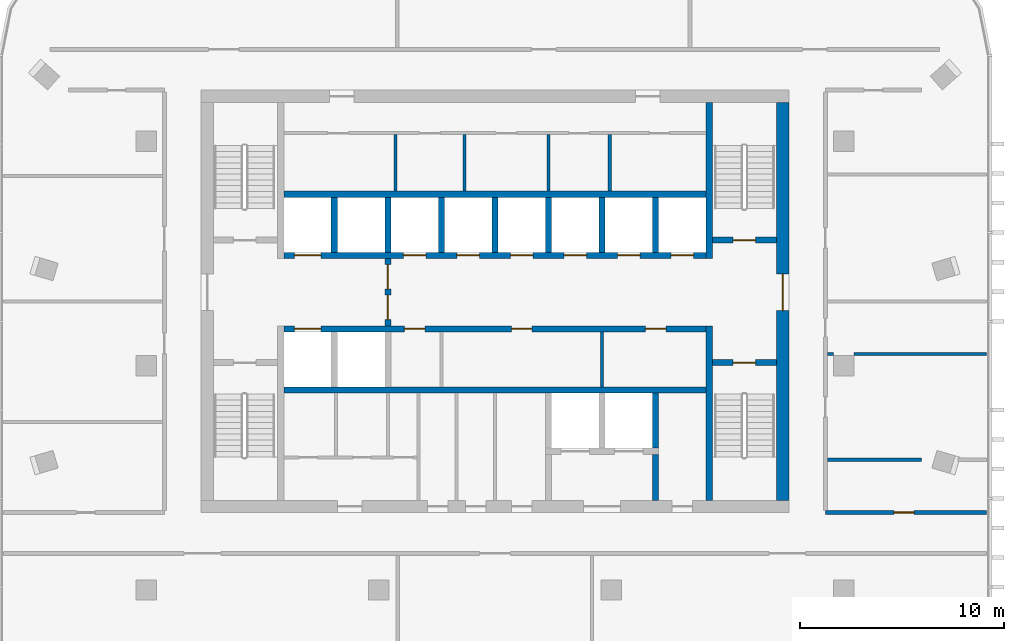
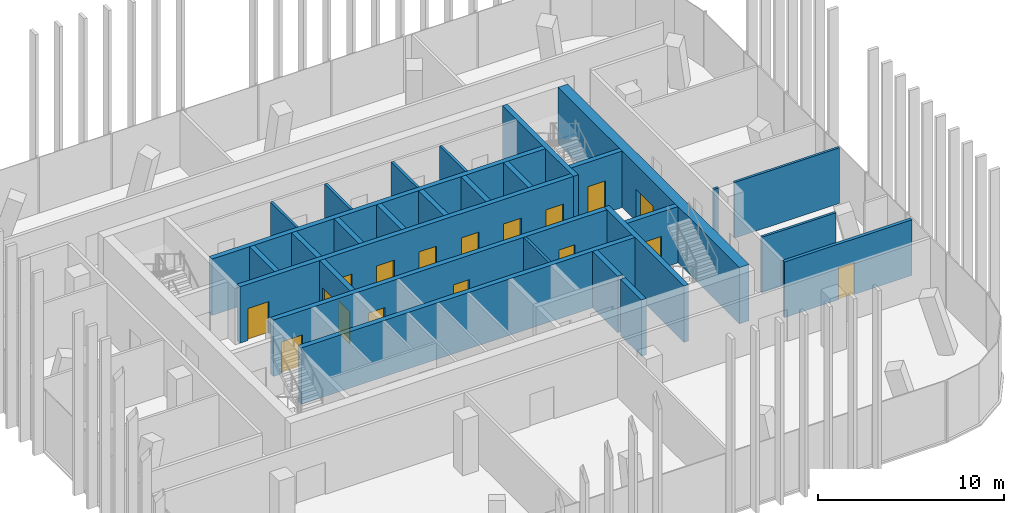
# One storey, part 7 of 13: 28 walls, 17 doors, 17 openings.
"""IFC4 building model written with IfcOpenShell, lengths in metres."""

from ifc_helpers import new_model, si_unit, direction, frame, frame_2d, origin, place, context, subcontext, project, spatial, rectangle, extrude, material, layer, layer_set, type_object, element, fill, save


model = new_model("IFC4")

# Units and contexts
model_context = context("Model", 3, precision=1e-05, world=origin(), true_north=direction((0.0, 1.0)))
body_context = subcontext(model_context, "Body", "Model", "MODEL_VIEW")
ifc_project = project(units=[si_unit("LENGTHUNIT", "METRE"), si_unit("AREAUNIT", "SQUARE_METRE"), si_unit("VOLUMEUNIT", "CUBIC_METRE"), si_unit("PLANEANGLEUNIT", "RADIAN"), si_unit("MASSUNIT", "GRAM", prefix="KILO")], contexts=[model_context])

# Site, building, storey
site_placement = place(None, origin())
site = spatial("IfcSite", under=ifc_project, at=site_placement, CompositionType="ELEMENT")
building_placement = place(site_placement, origin())
building = spatial("IfcBuilding", under=site, at=building_placement, Name="Mopane Tessera Tower", CompositionType="ELEMENT")
storey_placement = place(building_placement, frame((0.0, 0.0, 345.39990234375)))
storey = spatial("IfcBuildingStorey", under=building, at=storey_placement, Name="L75", CompositionType="ELEMENT", Elevation=345.39990234375)

# Walls
ifc_material_1 = material(Name="Fire-rated gypsum board partition")
ifc_layer_1 = layer(ifc_material_1, 0.14990234375)
ifc_layer_set_1 = layer_set([ifc_layer_1], Name="Fire-rated gypsum board partition")
wall_type_1 = type_object("IfcWallType", Name="Core room partition 150 mm", PredefinedType="PARTITIONING", material=ifc_layer_set_1)
for number, where, z_axis, x_axis, name in (
    (1, (-4.875, 8.550048828125, 0.0), (0.0, 0.0, 1.0), (0.0, 1.0, 0.0), "L75 Room partition"),
    (2, (-1.5, 8.550048828125, 0.0), (0.0, 0.0, 1.0), (0.0, 1.0, 0.0), "L75 Room partition"),
    (3, (2.625, 8.550048828125, 0.0), (0.0, 0.0, 1.0), (0.0, 1.0, 0.0), "L75 Room partition"),
    (4, (5.625, 8.550048828125, 0.0), (0.0, 0.0, 1.0), (0.0, 1.0, 0.0), "L75 Room partition"),
):
    element("IfcWall", number, at=place(storey_placement, frame(where, z_axis=z_axis, x_axis=x_axis)), inside=storey, type_object=wall_type_1, Name=name, PredefinedType="PARTITIONING", context=body_context, shape_type="SweptSolid", body=[
        extrude(rectangle(XDim=2.77490234375, YDim=0.14990234375, at=frame_2d((1.387451171875, 0.0))), origin(), (0.0, 0.0, 1.0), 3.7001953125),
    ])
wall_1_placement = place(storey_placement, frame((5.25, -1.050048828125, 0.0), z_axis=(0.0, 0.0, 1.0), x_axis=(0.0, 1.0, 0.0)))
element("IfcWall", 5, at=wall_1_placement, inside=storey, type_object=wall_type_1, Name="L75 Room partition", PredefinedType="PARTITIONING", context=body_context, shape_type="SweptSolid", body=[
    extrude(rectangle(XDim=2.699951171875, YDim=0.14990234375, at=frame_2d((1.35009765625, 0.0))), origin(), (0.0, 0.0, 1.0), 3.7001953125),
])

# Wall, opening, door
ifc_material_2 = material(Name="Concrete C70/85", Category="concrete")
ifc_layer_2 = layer(ifc_material_2, 0.60009765625)
ifc_layer_set_2 = layer_set([ifc_layer_2], Name="Concrete C70/85")
wall_type_2 = type_object("IfcWallType", Name="Core shear wall 600 mm", PredefinedType="SHEAR", material=ifc_layer_set_2)
wall_2_placement = place(storey_placement, frame((14.10009765625, -6.60009765625, 0.0), z_axis=(0.0, 0.0, 1.0), x_axis=(0.0, 1.0, 0.0)))
wall_2 = element("IfcWall", 6, at=wall_2_placement, inside=storey, type_object=wall_type_2, Name="L75 Core wall east", PredefinedType="SHEAR", context=body_context, shape_type="SweptSolid", body=[
    extrude(rectangle(XDim=19.5, YDim=0.60009765625, at=frame_2d((9.75, 0.0))), origin(), (0.0, 0.0, 1.0), 3.7001953125),
])
opening_1_placement = place(wall_2_placement, frame((9.300048828125, 0.0, 0.0)))
opening_1 = element("IfcOpeningElement", 7, at=opening_1_placement, cuts=wall_2, Name="Opening SD2", PredefinedType="OPENING", context=body_context, shape_type="SweptSolid", body=[
    extrude(rectangle(XDim=1.800048828125, YDim=2.10009765625, at=frame_2d((0.89990234375, 1.050048828125))), frame((0.0, 0.31201171875, 0.0), z_axis=(0.0, -1.0, 0.0), x_axis=(1.0, 0.0, 0.0)), (0.0, 0.0, 1.0), 0.6240234375),
])
ifc_material_3 = material(Name="Steel fire door", Category="steel")
door_type_1 = type_object("IfcDoorType", Name="Core entrance double door 1800 x 2100", OperationType="DOUBLE_DOOR_SINGLE_SWING", PredefinedType="DOOR", material=ifc_material_3)
door_1_placement = place(opening_1_placement, origin())
door_1 = element("IfcDoor", 8, at=door_1_placement, inside=storey, type_object=door_type_1, Name="L75 Core entrance door east", OperationType="DOUBLE_DOOR_SINGLE_SWING", OverallHeight=2.10009765625, OverallWidth=1.800048828125, PredefinedType="DOOR", context=body_context, shape_type="SweptSolid", body=[
    extrude(rectangle(XDim=1.800048828125, YDim=2.10009765625, at=frame_2d((0.89990234375, 1.050048828125))), frame((0.0, 0.02490234375, 0.0), z_axis=(0.0, -1.0, 0.0), x_axis=(1.0, 0.0, 0.0)), (0.0, 0.0, 1.0), 0.050048828125),
])
fill(opening_1, door_1)

# Walls
ifc_material_4 = material(Name="Concrete C60/75", Category="concrete")
ifc_layer_3 = layer(ifc_material_4, 0.300048828125)
ifc_layer_set_3 = layer_set([ifc_layer_3], Name="Concrete C60/75")
wall_type_3 = type_object("IfcWallType", Name="Core spine wall 300 mm", PredefinedType="SHEAR", material=ifc_layer_set_3)
wall_3_placement = place(storey_placement, frame((10.5, -6.60009765625, 0.0), z_axis=(0.0, 0.0, 1.0), x_axis=(0.0, 1.0, 0.0)))
element("IfcWall", 9, at=wall_3_placement, inside=storey, type_object=wall_type_3, Name="L75 Core spine wall", PredefinedType="SHEAR", context=body_context, shape_type="SweptSolid", body=[
    extrude(rectangle(XDim=8.550048828125, YDim=0.300048828125, at=frame_2d((4.27490234375, 0.0))), origin(), (0.0, 0.0, 1.0), 3.7001953125),
])
wall_4_placement = place(storey_placement, frame((10.5, 5.25, 0.0), z_axis=(0.0, 0.0, 1.0), x_axis=(0.0, 1.0, 0.0)))
element("IfcWall", 10, at=wall_4_placement, inside=storey, type_object=wall_type_3, Name="L75 Core spine wall", PredefinedType="SHEAR", context=body_context, shape_type="SweptSolid", body=[
    extrude(rectangle(XDim=7.64990234375, YDim=0.300048828125, at=frame_2d((3.824951171875, 0.0))), origin(), (0.0, 0.0, 1.0), 3.7001953125),
])

# Wall, opening, door
ifc_material_5 = material(Name="Gypsum board on steel studs, two layers each face, mineral wool infill", Category="steel")
ifc_layer_4 = layer(ifc_material_5, 0.199951171875)
ifc_layer_set_4 = layer_set([ifc_layer_4], Name="Gypsum board on steel studs, two layers each face, mineral wool infill")
wall_type_4 = type_object("IfcWallType", Name="Gypsum board corridor wall 200, rated EI 60", PredefinedType="PARTITIONING", material=ifc_layer_set_4)
wall_5_placement = place(storey_placement, frame((16.199951171875, -7.199951171875, 0.0), z_axis=(0.0, 0.0, 1.0), x_axis=(1.0, 0.0, 0.0)))
wall_5 = element("IfcWall", 11, at=wall_5_placement, inside=storey, type_object=wall_type_4, Name="Partition L75:002", PredefinedType="PARTITIONING", context=body_context, shape_type="SweptSolid", body=[
    extrude(rectangle(XDim=7.900146484375, YDim=0.199951171875, at=frame_2d((3.9501953125, 0.0))), origin(), (0.0, 0.0, 1.0), 3.650146484375),
])
opening_2_placement = place(wall_5_placement, frame((3.35009765625, 0.0, 0.0)))
opening_2 = element("IfcOpeningElement", 12, at=opening_2_placement, cuts=wall_5, Name="Opening L75-08", PredefinedType="OPENING", context=body_context, shape_type="SweptSolid", body=[
    extrude(rectangle(XDim=1.0, YDim=2.10009765625, at=frame_2d((0.5, 1.050048828125))), frame((0.0, 0.112060546875, 0.0), z_axis=(0.0, -1.0, 0.0), x_axis=(1.0, 0.0, 0.0)), (0.0, 0.0, 1.0), 0.223876953125),
])
ifc_material_6 = material(Name="Timber veneered steel-framed fire door", Category="steel")
door_type_2 = type_object("IfcDoorType", Name="Fire door FD60 1000 x 2100", OperationType="SINGLE_SWING_LEFT", PredefinedType="DOOR", material=ifc_material_6)
door_2_placement = place(opening_2_placement, origin())
door_2 = element("IfcDoor", 13, at=door_2_placement, inside=storey, type_object=door_type_2, Name="Door L75-08", ObjectType="D12A", OperationType="SINGLE_SWING_LEFT", OverallHeight=2.10009765625, OverallWidth=1.0, PredefinedType="DOOR", context=body_context, shape_type="SweptSolid", body=[
    extrude(rectangle(XDim=1.0, YDim=2.10009765625, at=frame_2d((0.5, 1.050048828125))), frame((0.0, 0.02490234375, 0.0), z_axis=(0.0, -1.0, 0.0), x_axis=(1.0, 0.0, 0.0)), (0.0, 0.0, 1.0), 0.050048828125),
])
fill(opening_2, door_2)

# Walls
ifc_material_7 = material(Name="Gypsum board on steel studs, mineral wool infill", Category="steel")
ifc_layer_5 = layer(ifc_material_7, 0.14990234375)
ifc_layer_set_5 = layer_set([ifc_layer_5], Name="Gypsum board on steel studs, mineral wool infill")
wall_type_5 = type_object("IfcWallType", Name="Gypsum board partition 150, rated EI 60", PredefinedType="PARTITIONING", material=ifc_layer_set_5)
wall_6_placement = place(storey_placement, frame((16.300048828125, -4.614990234375, 0.0), z_axis=(0.0, 0.0, 1.0), x_axis=(1.0, 0.0, 0.0)))
element("IfcWall", 14, at=wall_6_placement, inside=storey, type_object=wall_type_5, Name="Partition L75:003", PredefinedType="PARTITIONING", context=body_context, shape_type="SweptSolid", body=[
    extrude(rectangle(XDim=4.599853515625, YDim=0.14990234375, at=frame_2d((2.2998046875, 0.0))), origin(), (0.0, 0.0, 1.0), 3.650146484375),
])
wall_7_placement = place(storey_placement, frame((16.300048828125, 0.56005859375, 0.0), z_axis=(0.0, 0.0, 1.0), x_axis=(1.0, 0.0, 0.0)))
element("IfcWall", 15, at=wall_7_placement, inside=storey, type_object=wall_type_5, Name="Partition L75:006", PredefinedType="PARTITIONING", context=body_context, shape_type="SweptSolid", body=[
    extrude(rectangle(XDim=0.300048828125, YDim=0.14990234375, at=frame_2d((0.14990234375, 0.0))), origin(), (0.0, 0.0, 1.0), 3.650146484375),
])
wall_8_placement = place(storey_placement, frame((17.60009765625, 0.56005859375, 0.0), z_axis=(0.0, 0.0, 1.0), x_axis=(1.0, 0.0, 0.0)))
element("IfcWall", 16, at=wall_8_placement, inside=storey, type_object=wall_type_5, Name="Partition L75:007", PredefinedType="PARTITIONING", context=body_context, shape_type="SweptSolid", body=[
    extrude(rectangle(XDim=6.5, YDim=0.14990234375, at=frame_2d((3.25, 0.0))), origin(), (0.0, 0.0, 1.0), 3.650146484375),
])

# Wall, opening, door
ifc_material_8 = material(Name="Concrete C50/60", Category="concrete")
ifc_layer_6 = layer(ifc_material_8, 0.300048828125)
ifc_layer_set_6 = layer_set([ifc_layer_6], Name="Concrete C50/60")
wall_type_6 = type_object("IfcWallType", Name="Lift and stair shaft wall 300 mm", PredefinedType="SOLIDWALL", material=ifc_layer_set_6)
wall_9_placement = place(storey_placement, frame((10.64990234375, 0.14990234375, 0.0), z_axis=(0.0, 0.0, 1.0), x_axis=(1.0, 0.0, 0.0)))
wall_9 = element("IfcWall", 17, at=wall_9_placement, inside=storey, type_object=wall_type_6, Name="L75 Stair enclosure wall", PredefinedType="SOLIDWALL", context=body_context, shape_type="SweptSolid", body=[
    extrude(rectangle(XDim=3.150146484375, YDim=0.300048828125, at=frame_2d((1.5751953125, 0.0))), origin(), (0.0, 0.0, 1.0), 3.7001953125),
])
opening_3_placement = place(wall_9_placement, frame((1.02490234375, 0.0, 0.0)))
opening_3 = element("IfcOpeningElement", 18, at=opening_3_placement, cuts=wall_9, Name="Opening SD1", PredefinedType="OPENING", context=body_context, shape_type="SweptSolid", body=[
    extrude(rectangle(XDim=1.10009765625, YDim=2.10009765625, at=frame_2d((0.550048828125, 1.050048828125))), frame((0.0, 0.162109375, 0.0), z_axis=(0.0, -1.0, 0.0), x_axis=(1.0, 0.0, 0.0)), (0.0, 0.0, 1.0), 0.323974609375),
])
ifc_material_9 = material(Name="Steel fire door", Category="steel")
door_type_3 = type_object("IfcDoorType", Name="Stair fire door 1100 x 2100", OperationType="SINGLE_SWING_LEFT", PredefinedType="DOOR", material=ifc_material_9)
door_3_placement = place(opening_3_placement, origin())
door_3 = element("IfcDoor", 19, at=door_3_placement, inside=storey, type_object=door_type_3, Name="L75 Stair door ST3", OperationType="SINGLE_SWING_RIGHT", OverallHeight=2.10009765625, OverallWidth=1.10009765625, PredefinedType="DOOR", context=body_context, shape_type="SweptSolid", body=[
    extrude(rectangle(XDim=1.10009765625, YDim=2.10009765625, at=frame_2d((0.550048828125, 1.050048828125))), frame((0.0, 0.02490234375, 0.0), z_axis=(0.0, -1.0, 0.0), x_axis=(1.0, 0.0, 0.0)), (0.0, 0.0, 1.0), 0.050048828125),
])
fill(opening_3, door_3)

wall_10_placement = place(storey_placement, frame((10.64990234375, 6.14990234375, 0.0), z_axis=(0.0, 0.0, 1.0), x_axis=(1.0, 0.0, 0.0)))
wall_10 = element("IfcWall", 20, at=wall_10_placement, inside=storey, type_object=wall_type_6, Name="L75 Stair enclosure wall", PredefinedType="SOLIDWALL", context=body_context, shape_type="SweptSolid", body=[
    extrude(rectangle(XDim=3.150146484375, YDim=0.300048828125, at=frame_2d((1.5751953125, 0.0))), origin(), (0.0, 0.0, 1.0), 3.7001953125),
])
opening_4_placement = place(wall_10_placement, frame((1.02490234375, 0.0, 0.0)))
opening_4 = element("IfcOpeningElement", 21, at=opening_4_placement, cuts=wall_10, Name="Opening SD1", PredefinedType="OPENING", context=body_context, shape_type="SweptSolid", body=[
    extrude(rectangle(XDim=1.10009765625, YDim=2.10009765625, at=frame_2d((0.550048828125, 1.050048828125))), frame((0.0, 0.162109375, 0.0), z_axis=(0.0, -1.0, 0.0), x_axis=(1.0, 0.0, 0.0)), (0.0, 0.0, 1.0), 0.323974609375),
])
door_4_placement = place(opening_4_placement, origin())
door_4 = element("IfcDoor", 22, at=door_4_placement, inside=storey, type_object=door_type_3, Name="L75 Stair door ST4", OperationType="SINGLE_SWING_RIGHT", OverallHeight=2.10009765625, OverallWidth=1.10009765625, PredefinedType="DOOR", context=body_context, shape_type="SweptSolid", body=[
    extrude(rectangle(XDim=1.10009765625, YDim=2.10009765625, at=frame_2d((0.550048828125, 1.050048828125))), frame((0.0, 0.02490234375, 0.0), z_axis=(0.0, -1.0, 0.0), x_axis=(1.0, 0.0, 0.0)), (0.0, 0.0, 1.0), 0.050048828125),
])
fill(opening_4, door_4)

# Wall
wall_11_placement = place(storey_placement, frame((-10.35009765625, -1.199951171875, 0.0), z_axis=(0.0, 0.0, 1.0), x_axis=(1.0, 0.0, 0.0)))
element("IfcWall", 23, at=wall_11_placement, inside=storey, type_object=wall_type_6, Name="L75 Lift shaft rear wall", PredefinedType="SOLIDWALL", context=body_context, shape_type="SweptSolid", body=[
    extrude(rectangle(XDim=20.7001953125, YDim=0.300048828125, at=frame_2d((10.35009765625, 0.0))), origin(), (0.0, 0.0, 1.0), 3.7001953125),
])

# Wall, openings, doors
wall_12_placement = place(storey_placement, frame((-10.35009765625, 1.800048828125, 0.0), z_axis=(0.0, 0.0, 1.0), x_axis=(1.0, 0.0, 0.0)))
wall_12 = element("IfcWall", 24, at=wall_12_placement, inside=storey, type_object=wall_type_6, Name="L75 Lift shaft front wall", PredefinedType="SOLIDWALL", context=body_context, shape_type="SweptSolid", body=[
    extrude(rectangle(XDim=20.7001953125, YDim=0.300048828125, at=frame_2d((10.35009765625, 0.0))), origin(), (0.0, 0.0, 1.0), 3.7001953125),
])
opening_5_placement = place(wall_12_placement, frame((0.512451171875, 0.0, 0.0)))
opening_5 = element("IfcOpeningElement", 25, at=opening_5_placement, cuts=wall_12, Name="Opening LD2", PredefinedType="OPENING", context=body_context, shape_type="SweptSolid", body=[
    extrude(rectangle(XDim=1.300048828125, YDim=2.10009765625, at=frame_2d((0.64990234375, 1.050048828125))), frame((0.0, 0.162109375, 0.0), z_axis=(0.0, -1.0, 0.0), x_axis=(1.0, 0.0, 0.0)), (0.0, 0.0, 1.0), 0.323974609375),
])
opening_6_placement = place(wall_12_placement, frame((5.91259765625, 0.0, 0.0)))
opening_6 = element("IfcOpeningElement", 26, at=opening_6_placement, cuts=wall_12, Name="Opening RD1", PredefinedType="OPENING", context=body_context, shape_type="SweptSolid", body=[
    extrude(rectangle(XDim=1.0, YDim=2.10009765625, at=frame_2d((0.5, 1.050048828125))), frame((0.0, 0.162109375, 0.0), z_axis=(0.0, -1.0, 0.0), x_axis=(1.0, 0.0, 0.0)), (0.0, 0.0, 1.0), 0.323974609375),
])
opening_7_placement = place(wall_12_placement, frame((11.16259765625, 0.0, 0.0)))
opening_7 = element("IfcOpeningElement", 27, at=opening_7_placement, cuts=wall_12, Name="Opening RD1", PredefinedType="OPENING", context=body_context, shape_type="SweptSolid", body=[
    extrude(rectangle(XDim=1.0, YDim=2.10009765625, at=frame_2d((0.5, 1.050048828125))), frame((0.0, 0.162109375, 0.0), z_axis=(0.0, -1.0, 0.0), x_axis=(1.0, 0.0, 0.0)), (0.0, 0.0, 1.0), 0.323974609375),
])
opening_8_placement = place(wall_12_placement, frame((17.72509765625, 0.0, 0.0)))
opening_8 = element("IfcOpeningElement", 28, at=opening_8_placement, cuts=wall_12, Name="Opening RD1", PredefinedType="OPENING", context=body_context, shape_type="SweptSolid", body=[
    extrude(rectangle(XDim=1.0, YDim=2.10009765625, at=frame_2d((0.5, 1.050048828125))), frame((0.0, 0.162109375, 0.0), z_axis=(0.0, -1.0, 0.0), x_axis=(1.0, 0.0, 0.0)), (0.0, 0.0, 1.0), 0.323974609375),
])
ifc_material_10 = material(Name="Timber door", Category="wood")
door_type_4 = type_object("IfcDoorType", Name="Core room door 1000 x 2100", OperationType="SINGLE_SWING_LEFT", PredefinedType="DOOR", material=ifc_material_10)
door_5_placement = place(opening_6_placement, origin())
door_5 = element("IfcDoor", 29, at=door_5_placement, inside=storey, type_object=door_type_4, Name="L75 Room door", OperationType="SINGLE_SWING_LEFT", OverallHeight=2.10009765625, OverallWidth=1.0, PredefinedType="DOOR", context=body_context, shape_type="SweptSolid", body=[
    extrude(rectangle(XDim=1.0, YDim=2.10009765625, at=frame_2d((0.5, 1.050048828125))), frame((0.0, 0.02490234375, 0.0), z_axis=(0.0, -1.0, 0.0), x_axis=(1.0, 0.0, 0.0)), (0.0, 0.0, 1.0), 0.050048828125),
])
fill(opening_6, door_5)
door_6_placement = place(opening_7_placement, origin())
door_6 = element("IfcDoor", 30, at=door_6_placement, inside=storey, type_object=door_type_4, Name="L75 Room door", OperationType="SINGLE_SWING_LEFT", OverallHeight=2.10009765625, OverallWidth=1.0, PredefinedType="DOOR", context=body_context, shape_type="SweptSolid", body=[
    extrude(rectangle(XDim=1.0, YDim=2.10009765625, at=frame_2d((0.5, 1.050048828125))), frame((0.0, 0.02490234375, 0.0), z_axis=(0.0, -1.0, 0.0), x_axis=(1.0, 0.0, 0.0)), (0.0, 0.0, 1.0), 0.050048828125),
])
fill(opening_7, door_6)
door_7_placement = place(opening_8_placement, origin())
door_7 = element("IfcDoor", 31, at=door_7_placement, inside=storey, type_object=door_type_4, Name="L75 Room door", OperationType="SINGLE_SWING_LEFT", OverallHeight=2.10009765625, OverallWidth=1.0, PredefinedType="DOOR", context=body_context, shape_type="SweptSolid", body=[
    extrude(rectangle(XDim=1.0, YDim=2.10009765625, at=frame_2d((0.5, 1.050048828125))), frame((0.0, 0.02490234375, 0.0), z_axis=(0.0, -1.0, 0.0), x_axis=(1.0, 0.0, 0.0)), (0.0, 0.0, 1.0), 0.050048828125),
])
fill(opening_8, door_7)
ifc_material_11 = material(Name="Stainless steel sliding door", Category="steel")
door_type_5 = type_object("IfcDoorType", Name="Fire-fighting lift landing door 1300 x 2100", OperationType="DOUBLE_DOOR_SLIDING", PredefinedType="DOOR", material=ifc_material_11)
door_8_placement = place(opening_5_placement, origin())
door_8 = element("IfcDoor", 32, at=door_8_placement, inside=storey, type_object=door_type_5, Name="L75 Lift landing door FF1", OperationType="DOUBLE_DOOR_SLIDING", OverallHeight=2.10009765625, OverallWidth=1.300048828125, PredefinedType="DOOR", context=body_context, shape_type="SweptSolid", body=[
    extrude(rectangle(XDim=1.300048828125, YDim=2.10009765625, at=frame_2d((0.64990234375, 1.050048828125))), frame((0.0, 0.02490234375, 0.0), z_axis=(0.0, -1.0, 0.0), x_axis=(1.0, 0.0, 0.0)), (0.0, 0.0, 1.0), 0.050048828125),
])
fill(opening_5, door_8)

wall_13_placement = place(storey_placement, frame((-10.35009765625, 5.39990234375, 0.0), z_axis=(0.0, 0.0, 1.0), x_axis=(1.0, 0.0, 0.0)))
wall_13 = element("IfcWall", 33, at=wall_13_placement, inside=storey, type_object=wall_type_6, Name="L75 Lift shaft front wall", PredefinedType="SOLIDWALL", context=body_context, shape_type="SweptSolid", body=[
    extrude(rectangle(XDim=20.7001953125, YDim=0.300048828125, at=frame_2d((10.35009765625, 0.0))), origin(), (0.0, 0.0, 1.0), 3.7001953125),
])
opening_9_placement = place(wall_13_placement, frame((0.512451171875, 0.0, 0.0)))
opening_9 = element("IfcOpeningElement", 34, at=opening_9_placement, cuts=wall_13, Name="Opening LD2", PredefinedType="OPENING", context=body_context, shape_type="SweptSolid", body=[
    extrude(rectangle(XDim=1.300048828125, YDim=2.10009765625, at=frame_2d((0.64990234375, 1.050048828125))), frame((0.0, 0.162109375, 0.0), z_axis=(0.0, -1.0, 0.0), x_axis=(1.0, 0.0, 0.0)), (0.0, 0.0, 1.0), 0.323974609375),
])
opening_10_placement = place(wall_13_placement, frame((5.862548828125, 0.0, 0.0)))
opening_10 = element("IfcOpeningElement", 35, at=opening_10_placement, cuts=wall_13, Name="Opening LD", PredefinedType="OPENING", context=body_context, shape_type="SweptSolid", body=[
    extrude(rectangle(XDim=1.10009765625, YDim=2.10009765625, at=frame_2d((0.550048828125, 1.050048828125))), frame((0.0, 0.162109375, 0.0), z_axis=(0.0, -1.0, 0.0), x_axis=(1.0, 0.0, 0.0)), (0.0, 0.0, 1.0), 0.323974609375),
])
opening_11_placement = place(wall_13_placement, frame((8.487548828125, 0.0, 0.0)))
opening_11 = element("IfcOpeningElement", 36, at=opening_11_placement, cuts=wall_13, Name="Opening LD", PredefinedType="OPENING", context=body_context, shape_type="SweptSolid", body=[
    extrude(rectangle(XDim=1.10009765625, YDim=2.10009765625, at=frame_2d((0.550048828125, 1.050048828125))), frame((0.0, 0.162109375, 0.0), z_axis=(0.0, -1.0, 0.0), x_axis=(1.0, 0.0, 0.0)), (0.0, 0.0, 1.0), 0.323974609375),
])
opening_12_placement = place(wall_13_placement, frame((11.112548828125, 0.0, 0.0)))
opening_12 = element("IfcOpeningElement", 37, at=opening_12_placement, cuts=wall_13, Name="Opening LD", PredefinedType="OPENING", context=body_context, shape_type="SweptSolid", body=[
    extrude(rectangle(XDim=1.10009765625, YDim=2.10009765625, at=frame_2d((0.550048828125, 1.050048828125))), frame((0.0, 0.162109375, 0.0), z_axis=(0.0, -1.0, 0.0), x_axis=(1.0, 0.0, 0.0)), (0.0, 0.0, 1.0), 0.323974609375),
])
opening_13_placement = place(wall_13_placement, frame((13.737548828125, 0.0, 0.0)))
opening_13 = element("IfcOpeningElement", 38, at=opening_13_placement, cuts=wall_13, Name="Opening LD", PredefinedType="OPENING", context=body_context, shape_type="SweptSolid", body=[
    extrude(rectangle(XDim=1.10009765625, YDim=2.10009765625, at=frame_2d((0.550048828125, 1.050048828125))), frame((0.0, 0.162109375, 0.0), z_axis=(0.0, -1.0, 0.0), x_axis=(1.0, 0.0, 0.0)), (0.0, 0.0, 1.0), 0.323974609375),
])
opening_14_placement = place(wall_13_placement, frame((16.362548828125, 0.0, 0.0)))
opening_14 = element("IfcOpeningElement", 39, at=opening_14_placement, cuts=wall_13, Name="Opening LD", PredefinedType="OPENING", context=body_context, shape_type="SweptSolid", body=[
    extrude(rectangle(XDim=1.10009765625, YDim=2.10009765625, at=frame_2d((0.550048828125, 1.050048828125))), frame((0.0, 0.162109375, 0.0), z_axis=(0.0, -1.0, 0.0), x_axis=(1.0, 0.0, 0.0)), (0.0, 0.0, 1.0), 0.323974609375),
])
opening_15_placement = place(wall_13_placement, frame((18.987548828125, 0.0, 0.0)))
opening_15 = element("IfcOpeningElement", 40, at=opening_15_placement, cuts=wall_13, Name="Opening LD", PredefinedType="OPENING", context=body_context, shape_type="SweptSolid", body=[
    extrude(rectangle(XDim=1.10009765625, YDim=2.10009765625, at=frame_2d((0.550048828125, 1.050048828125))), frame((0.0, 0.162109375, 0.0), z_axis=(0.0, -1.0, 0.0), x_axis=(1.0, 0.0, 0.0)), (0.0, 0.0, 1.0), 0.323974609375),
])
door_9_placement = place(opening_9_placement, origin())
door_9 = element("IfcDoor", 41, at=door_9_placement, inside=storey, type_object=door_type_5, Name="L75 Lift landing door FF2", OperationType="DOUBLE_DOOR_SLIDING", OverallHeight=2.10009765625, OverallWidth=1.300048828125, PredefinedType="DOOR", context=body_context, shape_type="SweptSolid", body=[
    extrude(rectangle(XDim=1.300048828125, YDim=2.10009765625, at=frame_2d((0.64990234375, 1.050048828125))), frame((0.0, 0.02490234375, 0.0), z_axis=(0.0, -1.0, 0.0), x_axis=(1.0, 0.0, 0.0)), (0.0, 0.0, 1.0), 0.050048828125),
])
fill(opening_9, door_9)
ifc_material_12 = material(Name="Stainless steel sliding door", Category="steel")
door_type_6 = type_object("IfcDoorType", Name="Lift landing door 1100 x 2100", OperationType="DOUBLE_DOOR_SLIDING", PredefinedType="DOOR", material=ifc_material_12)
door_10_placement = place(opening_10_placement, origin())
door_10 = element("IfcDoor", 42, at=door_10_placement, inside=storey, type_object=door_type_6, Name="L75 Lift landing door HR1", OperationType="DOUBLE_DOOR_SLIDING", OverallHeight=2.10009765625, OverallWidth=1.10009765625, PredefinedType="DOOR", context=body_context, shape_type="SweptSolid", body=[
    extrude(rectangle(XDim=1.10009765625, YDim=2.10009765625, at=frame_2d((0.550048828125, 1.050048828125))), frame((0.0, 0.02490234375, 0.0), z_axis=(0.0, -1.0, 0.0), x_axis=(1.0, 0.0, 0.0)), (0.0, 0.0, 1.0), 0.050048828125),
])
fill(opening_10, door_10)
door_11_placement = place(opening_11_placement, origin())
door_11 = element("IfcDoor", 43, at=door_11_placement, inside=storey, type_object=door_type_6, Name="L75 Lift landing door HR2", OperationType="DOUBLE_DOOR_SLIDING", OverallHeight=2.10009765625, OverallWidth=1.10009765625, PredefinedType="DOOR", context=body_context, shape_type="SweptSolid", body=[
    extrude(rectangle(XDim=1.10009765625, YDim=2.10009765625, at=frame_2d((0.550048828125, 1.050048828125))), frame((0.0, 0.02490234375, 0.0), z_axis=(0.0, -1.0, 0.0), x_axis=(1.0, 0.0, 0.0)), (0.0, 0.0, 1.0), 0.050048828125),
])
fill(opening_11, door_11)
door_12_placement = place(opening_12_placement, origin())
door_12 = element("IfcDoor", 44, at=door_12_placement, inside=storey, type_object=door_type_6, Name="L75 Lift landing door HR3", OperationType="DOUBLE_DOOR_SLIDING", OverallHeight=2.10009765625, OverallWidth=1.10009765625, PredefinedType="DOOR", context=body_context, shape_type="SweptSolid", body=[
    extrude(rectangle(XDim=1.10009765625, YDim=2.10009765625, at=frame_2d((0.550048828125, 1.050048828125))), frame((0.0, 0.02490234375, 0.0), z_axis=(0.0, -1.0, 0.0), x_axis=(1.0, 0.0, 0.0)), (0.0, 0.0, 1.0), 0.050048828125),
])
fill(opening_12, door_12)
door_13_placement = place(opening_13_placement, origin())
door_13 = element("IfcDoor", 45, at=door_13_placement, inside=storey, type_object=door_type_6, Name="L75 Lift landing door HR4", OperationType="DOUBLE_DOOR_SLIDING", OverallHeight=2.10009765625, OverallWidth=1.10009765625, PredefinedType="DOOR", context=body_context, shape_type="SweptSolid", body=[
    extrude(rectangle(XDim=1.10009765625, YDim=2.10009765625, at=frame_2d((0.550048828125, 1.050048828125))), frame((0.0, 0.02490234375, 0.0), z_axis=(0.0, -1.0, 0.0), x_axis=(1.0, 0.0, 0.0)), (0.0, 0.0, 1.0), 0.050048828125),
])
fill(opening_13, door_13)
door_14_placement = place(opening_14_placement, origin())
door_14 = element("IfcDoor", 46, at=door_14_placement, inside=storey, type_object=door_type_6, Name="L75 Lift landing door HR5", OperationType="DOUBLE_DOOR_SLIDING", OverallHeight=2.10009765625, OverallWidth=1.10009765625, PredefinedType="DOOR", context=body_context, shape_type="SweptSolid", body=[
    extrude(rectangle(XDim=1.10009765625, YDim=2.10009765625, at=frame_2d((0.550048828125, 1.050048828125))), frame((0.0, 0.02490234375, 0.0), z_axis=(0.0, -1.0, 0.0), x_axis=(1.0, 0.0, 0.0)), (0.0, 0.0, 1.0), 0.050048828125),
])
fill(opening_14, door_14)
door_15_placement = place(opening_15_placement, origin())
door_15 = element("IfcDoor", 47, at=door_15_placement, inside=storey, type_object=door_type_6, Name="L75 Lift landing door HR6", OperationType="DOUBLE_DOOR_SLIDING", OverallHeight=2.10009765625, OverallWidth=1.10009765625, PredefinedType="DOOR", context=body_context, shape_type="SweptSolid", body=[
    extrude(rectangle(XDim=1.10009765625, YDim=2.10009765625, at=frame_2d((0.550048828125, 1.050048828125))), frame((0.0, 0.02490234375, 0.0), z_axis=(0.0, -1.0, 0.0), x_axis=(1.0, 0.0, 0.0)), (0.0, 0.0, 1.0), 0.050048828125),
])
fill(opening_15, door_15)

# Walls
wall_14_placement = place(storey_placement, frame((-10.35009765625, 8.39990234375, 0.0), z_axis=(0.0, 0.0, 1.0), x_axis=(1.0, 0.0, 0.0)))
element("IfcWall", 48, at=wall_14_placement, inside=storey, type_object=wall_type_6, Name="L75 Lift shaft rear wall", PredefinedType="SOLIDWALL", context=body_context, shape_type="SweptSolid", body=[
    extrude(rectangle(XDim=20.7001953125, YDim=0.300048828125, at=frame_2d((10.35009765625, 0.0))), origin(), (0.0, 0.0, 1.0), 3.7001953125),
])
for number, where, z_axis, x_axis, name in (
    (49, (-7.875, 5.550048828125, 0.0), (0.0, 0.0, 1.0), (0.0, 1.0, 0.0), "L75 Lift shaft wall"),
    (50, (-5.25, 5.550048828125, 0.0), (0.0, 0.0, 1.0), (0.0, 1.0, 0.0), "L75 Lift shaft wall"),
    (51, (-2.625, 5.550048828125, 0.0), (0.0, 0.0, 1.0), (0.0, 1.0, 0.0), "L75 Lift shaft wall"),
    (52, (0.0, 5.550048828125, 0.0), (0.0, 0.0, 1.0), (0.0, 1.0, 0.0), "L75 Lift shaft wall"),
    (53, (2.625, 5.550048828125, 0.0), (0.0, 0.0, 1.0), (0.0, 1.0, 0.0), "L75 Lift shaft wall"),
    (54, (5.25, 5.550048828125, 0.0), (0.0, 0.0, 1.0), (0.0, 1.0, 0.0), "L75 Lift shaft wall"),
    (55, (7.875, 5.550048828125, 0.0), (0.0, 0.0, 1.0), (0.0, 1.0, 0.0), "L75 Lift shaft wall"),
    (56, (7.875, -4.050048828125, 0.0), (0.0, 0.0, 1.0), (0.0, 1.0, 0.0), "L75 Lift shaft wall"),
):
    element("IfcWall", number, at=place(storey_placement, frame(where, z_axis=z_axis, x_axis=x_axis)), inside=storey, type_object=wall_type_6, Name=name, PredefinedType="SOLIDWALL", context=body_context, shape_type="SweptSolid", body=[
        extrude(rectangle(XDim=2.699951171875, YDim=0.300048828125, at=frame_2d((1.35009765625, 0.0))), origin(), (0.0, 0.0, 1.0), 3.7001953125),
    ])

# Wall, openings, doors
ifc_material_13 = material(Name="Concrete C50/60", Category="concrete")
ifc_layer_7 = layer(ifc_material_13, 0.300048828125)
ifc_layer_set_7 = layer_set([ifc_layer_7], Name="Concrete C50/60")
wall_type_7 = type_object("IfcWallType", Name="Lobby and refuge room wall 300 mm", PredefinedType="SOLIDWALL", material=ifc_layer_set_7)
wall_15_placement = place(storey_placement, frame((-5.25, 1.949951171875, 0.0), z_axis=(0.0, 0.0, 1.0), x_axis=(0.0, 1.0, 0.0)))
wall_15 = element("IfcWall", 57, at=wall_15_placement, inside=storey, type_object=wall_type_7, Name="L75 Fire-fighting lobby wall", PredefinedType="SOLIDWALL", context=body_context, shape_type="SweptSolid", body=[
    extrude(rectangle(XDim=3.300048828125, YDim=0.300048828125, at=frame_2d((1.64990234375, 0.0))), origin(), (0.0, 0.0, 1.0), 3.7001953125),
])
opening_16_placement = place(wall_15_placement, frame((0.300048828125, 0.0, 0.0)))
opening_16 = element("IfcOpeningElement", 58, at=opening_16_placement, cuts=wall_15, Name="Opening SD3", PredefinedType="OPENING", context=body_context, shape_type="SweptSolid", body=[
    extrude(rectangle(XDim=1.199951171875, YDim=2.10009765625, at=frame_2d((0.60009765625, 1.050048828125))), frame((0.0, 0.162109375, 0.0), z_axis=(0.0, -1.0, 0.0), x_axis=(1.0, 0.0, 0.0)), (0.0, 0.0, 1.0), 0.323974609375),
])
opening_17_placement = place(wall_15_placement, frame((1.800048828125, 0.0, 0.0)))
opening_17 = element("IfcOpeningElement", 59, at=opening_17_placement, cuts=wall_15, Name="Opening SD3", PredefinedType="OPENING", context=body_context, shape_type="SweptSolid", body=[
    extrude(rectangle(XDim=1.199951171875, YDim=2.10009765625, at=frame_2d((0.60009765625, 1.050048828125))), frame((0.0, 0.162109375, 0.0), z_axis=(0.0, -1.0, 0.0), x_axis=(1.0, 0.0, 0.0)), (0.0, 0.0, 1.0), 0.323974609375),
])
ifc_material_14 = material(Name="Steel fire door", Category="steel")
door_type_7 = type_object("IfcDoorType", Name="Lobby fire door 1200 x 2100", OperationType="SINGLE_SWING_LEFT", PredefinedType="DOOR", material=ifc_material_14)
door_16_placement = place(opening_16_placement, origin())
door_16 = element("IfcDoor", 60, at=door_16_placement, inside=storey, type_object=door_type_7, Name="L75 Fire-fighting lobby door", OperationType="SINGLE_SWING_LEFT", OverallHeight=2.10009765625, OverallWidth=1.199951171875, PredefinedType="DOOR", context=body_context, shape_type="SweptSolid", body=[
    extrude(rectangle(XDim=1.199951171875, YDim=2.10009765625, at=frame_2d((0.60009765625, 1.050048828125))), frame((0.0, 0.02490234375, 0.0), z_axis=(0.0, -1.0, 0.0), x_axis=(1.0, 0.0, 0.0)), (0.0, 0.0, 1.0), 0.050048828125),
])
fill(opening_16, door_16)
door_17_placement = place(opening_17_placement, origin())
door_17 = element("IfcDoor", 61, at=door_17_placement, inside=storey, type_object=door_type_7, Name="L75 Fire-fighting lobby door", OperationType="SINGLE_SWING_RIGHT", OverallHeight=2.10009765625, OverallWidth=1.199951171875, PredefinedType="DOOR", context=body_context, shape_type="SweptSolid", body=[
    extrude(rectangle(XDim=1.199951171875, YDim=2.10009765625, at=frame_2d((0.60009765625, 1.050048828125))), frame((0.0, 0.02490234375, 0.0), z_axis=(0.0, -1.0, 0.0), x_axis=(1.0, 0.0, 0.0)), (0.0, 0.0, 1.0), 0.050048828125),
])
fill(opening_17, door_17)

# Wall
wall_16_placement = place(storey_placement, frame((7.875, -6.60009765625, 0.0), z_axis=(0.0, 0.0, 1.0), x_axis=(0.0, 1.0, 0.0)))
element("IfcWall", 62, at=wall_16_placement, inside=storey, type_object=wall_type_7, Name="L75 Service lobby wall", PredefinedType="SOLIDWALL", context=body_context, shape_type="SweptSolid", body=[
    extrude(rectangle(XDim=2.25, YDim=0.300048828125, at=frame_2d((1.125, 0.0))), origin(), (0.0, 0.0, 1.0), 3.7001953125),
])

save(model, "model.ifc")
